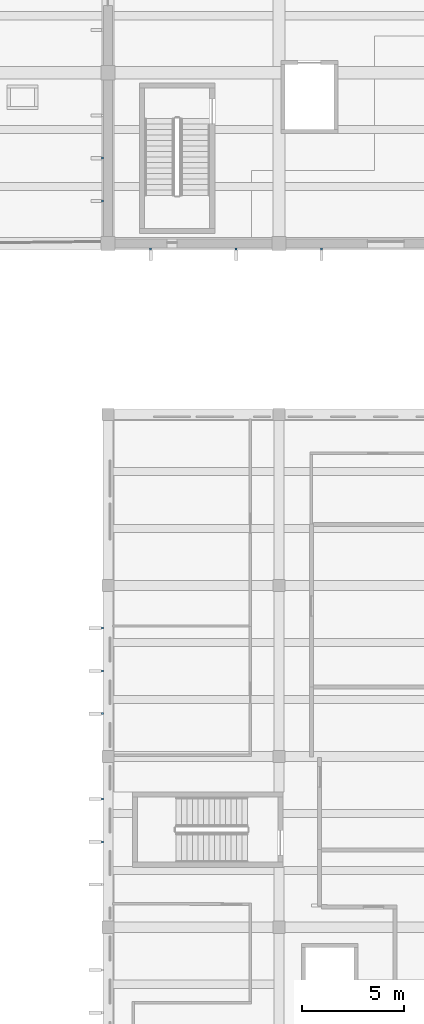
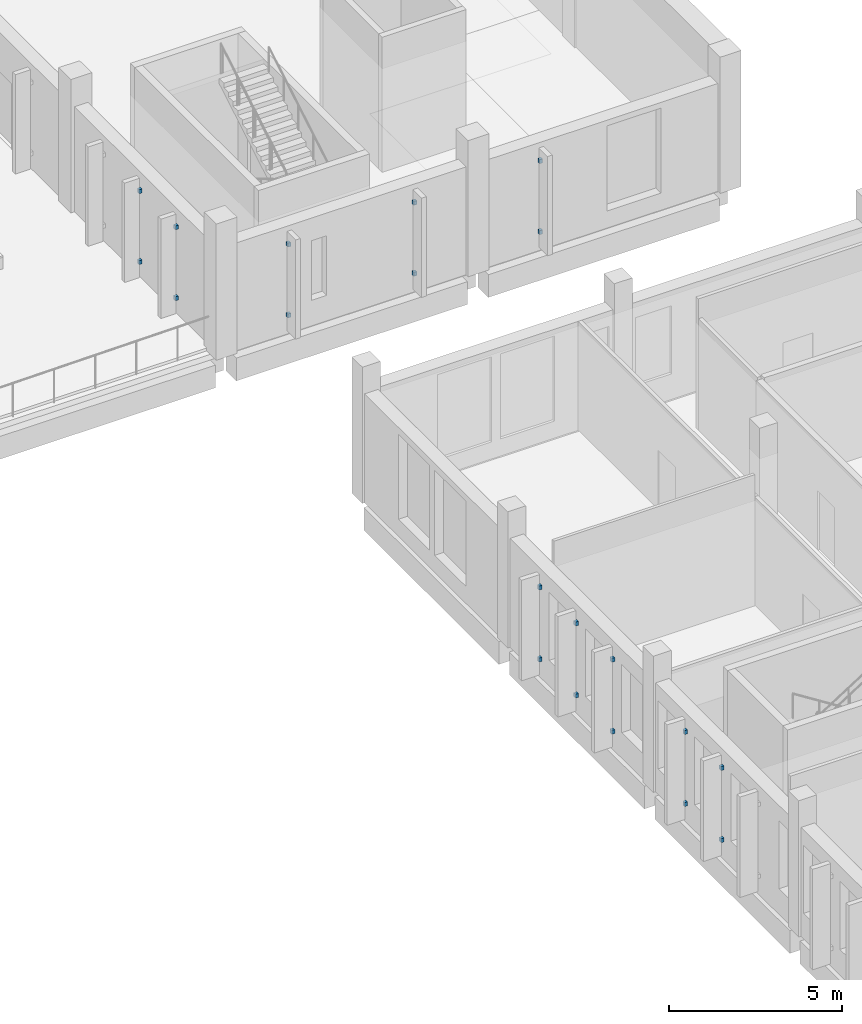
# One storey, part 74 of 103: 20 discrete accessories.
"""IFC4 building model written with IfcOpenShell, lengths in metres."""

from ifc_helpers import new_model, si_unit, direction, frame, origin, origin_2d, place, context, subcontext, project, spatial, rectangle, extrude, material, layer, layer_set, type_object, element, save


model = new_model("IFC4")

# Units and contexts
model_context = context("Model", 3, precision=1e-05, world=origin(), true_north=direction((0.0, 1.0)))
body_context = subcontext(model_context, "Body", "Model", "MODEL_VIEW")
ifc_project = project(units=[si_unit("LENGTHUNIT", "METRE"), si_unit("AREAUNIT", "SQUARE_METRE"), si_unit("VOLUMEUNIT", "CUBIC_METRE"), si_unit("PLANEANGLEUNIT", "RADIAN"), si_unit("MASSUNIT", "GRAM", prefix="KILO")], contexts=[model_context])

# Site, building, storey
site_placement = place(None, origin())
site = spatial("IfcSite", under=ifc_project, at=site_placement, CompositionType="ELEMENT")
building_placement = place(site_placement, origin())
building = spatial("IfcBuilding", under=site, at=building_placement, Name="Larchfold Concert Hall", CompositionType="ELEMENT")
storey_placement = place(building_placement, frame((0.0, 0.0, 9.60009765625)))
storey = spatial("IfcBuildingStorey", under=building, at=storey_placement, Name="L02", CompositionType="ELEMENT", Elevation=9.60009765625)

# Discrete accessories
ifc_material = material(Name="Steel S355 galvanised bracket", Category="steel")
ifc_layer = layer(ifc_material, 0.10009765625)
ifc_layer_set = layer_set([ifc_layer], Name="Steel S355 galvanised bracket")
discrete_accessory_type = type_object("IfcDiscreteAccessoryType", Name="Fin support bracket", PredefinedType="BRACKET", material=ifc_layer_set)
for number, where, z_axis, x_axis, name in (
    (1, (84.3251953125, 69.89990234375, 0.6298828125), (0.0, 0.0, 1.0), (-1.0, 0.0, 0.0), "Fin bracket FN-L02-041-1"),
    (2, (84.3251953125, 69.89990234375, 3.1298828125), (0.0, 0.0, 1.0), (-1.0, 0.0, 0.0), "Fin bracket FN-L02-041-2"),
    (3, (84.3251953125, 72.0, 0.6298828125), (0.0, 0.0, 1.0), (-1.0, 0.0, 0.0), "Fin bracket FN-L02-042-1"),
    (4, (84.3251953125, 72.0, 3.1298828125), (0.0, 0.0, 1.0), (-1.0, 0.0, 0.0), "Fin bracket FN-L02-042-2"),
    (5, (86.699951171875, 67.525146484375, 0.6298828125), (0.0, 0.0, 1.0), (0.0, -1.0, 0.0), "Fin bracket FN-L02-044-1"),
    (6, (86.699951171875, 67.525146484375, 3.1298828125), (0.0, 0.0, 1.0), (0.0, -1.0, 0.0), "Fin bracket FN-L02-044-2"),
    (7, (90.89990234375, 67.525146484375, 0.6298828125), (0.0, 0.0, 1.0), (0.0, -1.0, 0.0), "Fin bracket FN-L02-045-1"),
    (8, (90.89990234375, 67.525146484375, 3.1298828125), (0.0, 0.0, 1.0), (0.0, -1.0, 0.0), "Fin bracket FN-L02-045-2"),
    (9, (95.10009765625, 67.525146484375, 0.6298828125), (0.0, 0.0, 1.0), (0.0, -1.0, 0.0), "Fin bracket FN-L02-046-1"),
    (10, (95.10009765625, 67.525146484375, 3.1298828125), (0.0, 0.0, 1.0), (0.0, -1.0, 0.0), "Fin bracket FN-L02-046-2"),
    (11, (84.3251953125, 44.699951171875, 0.6298828125), (0.0, 0.0, 1.0), (-1.0, 0.0, 0.0), "Fin bracket FN-L02-047-1"),
    (12, (84.3251953125, 44.699951171875, 3.169921875), (0.0, 0.0, 1.0), (-1.0, 0.0, 0.0), "Fin bracket FN-L02-047-2"),
    (13, (84.3251953125, 46.800048828125, 0.6298828125), (0.0, 0.0, 1.0), (-1.0, 0.0, 0.0), "Fin bracket FN-L02-048-1"),
    (14, (84.3251953125, 46.800048828125, 3.169921875), (0.0, 0.0, 1.0), (-1.0, 0.0, 0.0), "Fin bracket FN-L02-048-2"),
    (15, (84.3251953125, 48.89990234375, 0.6298828125), (0.0, 0.0, 1.0), (-1.0, 0.0, 0.0), "Fin bracket FN-L02-049-1"),
    (16, (84.3251953125, 48.89990234375, 3.169921875), (0.0, 0.0, 1.0), (-1.0, 0.0, 0.0), "Fin bracket FN-L02-049-2"),
    (17, (84.3251953125, 38.39990234375, 0.6298828125), (0.0, 0.0, 1.0), (-1.0, 0.0, 0.0), "Fin bracket FN-L02-051-1"),
    (18, (84.3251953125, 38.39990234375, 3.169921875), (0.0, 0.0, 1.0), (-1.0, 0.0, 0.0), "Fin bracket FN-L02-051-2"),
    (19, (84.3251953125, 40.5, 0.6298828125), (0.0, 0.0, 1.0), (-1.0, 0.0, 0.0), "Fin bracket FN-L02-052-1"),
    (20, (84.3251953125, 40.5, 3.169921875), (0.0, 0.0, 1.0), (-1.0, 0.0, 0.0), "Fin bracket FN-L02-052-2"),
):
    element("IfcDiscreteAccessory", number, at=place(storey_placement, frame(where, z_axis=z_axis, x_axis=x_axis)), inside=storey, type_object=discrete_accessory_type, Name=name, PredefinedType="BRACKET", context=body_context, shape_type="SweptSolid", body=[
        extrude(rectangle(XDim=0.10009765625, YDim=0.10009765625, at=origin_2d()), origin(), (0.0, 0.0, 1.0), 0.139892578125),
    ])

save(model, "model.ifc")
